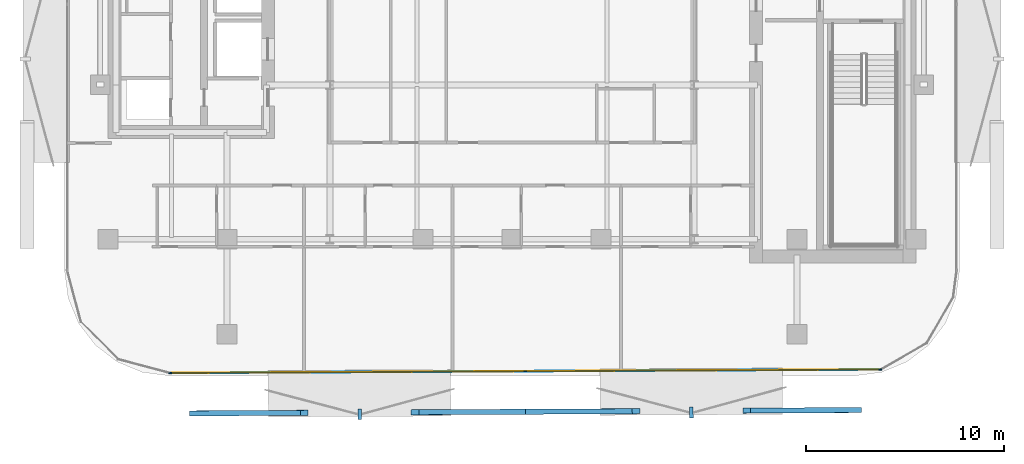
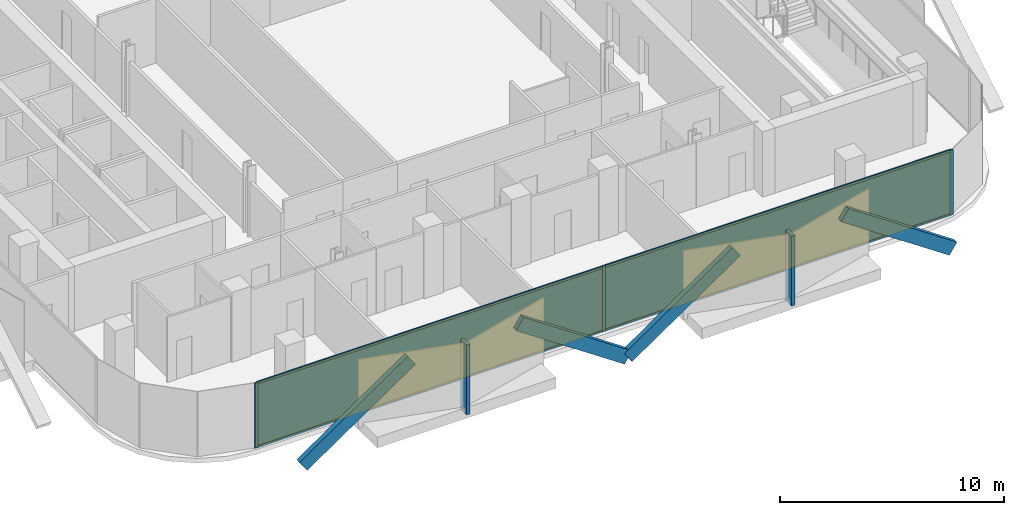
# One storey, part 9 of 17: 13 members, 2 plates, 1 curtain wall.
"""IFC4 building model written with IfcOpenShell, lengths in metres."""

from ifc_helpers import new_model, si_unit, direction, frame, frame_2d, origin, origin_2d, place, context, subcontext, project, spatial, rectangle, extrude, material, layer, layer_set, material_profile, profile_set, type_object, element, aggregate, save


model = new_model("IFC4")

# Units and contexts
model_context = context("Model", 3, precision=1e-05, world=origin(), true_north=direction((0.0, 1.0)))
body_context = subcontext(model_context, "Body", "Model", "MODEL_VIEW")
ifc_project = project(units=[si_unit("LENGTHUNIT", "METRE"), si_unit("AREAUNIT", "SQUARE_METRE"), si_unit("VOLUMEUNIT", "CUBIC_METRE"), si_unit("PLANEANGLEUNIT", "RADIAN"), si_unit("MASSUNIT", "GRAM", prefix="KILO")], contexts=[model_context])

# Member
ifc_material_1 = material(Name="Anodised Bronze Aluminium 6063-T6", Category="aluminium")
ifc_material_profile_1 = material_profile(ifc_material_1, rectangle(XDim=0.260009765625, YDim=0.699951171875, at=origin_2d()))
ifc_profile_set_1 = profile_set([ifc_material_profile_1], Name="Anodised Bronze Aluminium 6063-T6")
member_type_1 = type_object("IfcMemberType", Name="Bronze Diamond Solar-Screen Lattice Rib BDL-700", PredefinedType="MULLION", material=ifc_profile_set_1)
site_placement = place(None, origin())
building_placement = place(site_placement, origin())
storey_placement = place(building_placement, frame((0.0, 0.0, 195.39990234375)))
member_1_placement = place(storey_placement, frame((17.4453125, -27.22900390625, -0.1298828125), z_axis=(-0.826888819371, -0.004046469514, 0.562350874885), x_axis=(-0.007641611663, 0.999962637455, -0.004040973385)))
member_1 = element("IfcMember", 1, at=member_1_placement, type_object=member_type_1, Name="L45 Bronze Diamond Solar Screen Lattice Rib 297A", PredefinedType="MULLION", context=body_context, shape_type="SweptSolid", body=[
    extrude(rectangle(XDim=0.260009765625, YDim=0.699951171875, at=origin_2d()), origin(), (0.0, 0.0, 1.0), 6.75732421875),
])

member_2_placement = place(storey_placement, frame((0.682373046875, -27.3115234375, -0.1298828125), z_axis=(0.826888697943, 0.004082598107, 0.562350792305), x_axis=(0.00768530149, -0.999962302626, -0.00404097366)))
member_2 = element("IfcMember", 2, at=member_2_placement, type_object=member_type_1, Name="L45 Bronze Diamond Solar Screen Lattice Rib 297B", PredefinedType="MULLION", context=body_context, shape_type="SweptSolid", body=[
    extrude(rectangle(XDim=0.260009765625, YDim=0.699951171875, at=origin_2d()), origin(), (0.0, 0.0, 1.0), 6.75732421875),
])

member_3_placement = place(storey_placement, frame((0.682373046875, -27.3115234375, -0.1298828125), z_axis=(-0.82690012347, -0.004082476143, 0.562333992564), x_axis=(-0.00768500369, 0.999962304689, -0.004041029491)))
member_3 = element("IfcMember", 3, at=member_3_placement, type_object=member_type_1, Name="L45 Bronze Diamond Solar Screen Lattice Rib 298A", PredefinedType="MULLION", context=body_context, shape_type="SweptSolid", body=[
    extrude(rectangle(XDim=0.260009765625, YDim=0.699951171875, at=origin_2d()), origin(), (0.0, 0.0, 1.0), 6.757568359375),
])

member_4_placement = place(storey_placement, frame((-16.080810546875, -27.39404296875, -0.1298828125), z_axis=(0.826888697943, 0.004082598107, 0.562350792305), x_axis=(0.00768530149, -0.999962302626, -0.00404097366)))
member_4 = element("IfcMember", 4, at=member_4_placement, type_object=member_type_1, Name="L45 Bronze Diamond Solar Screen Lattice Rib 298B", PredefinedType="MULLION", context=body_context, shape_type="SweptSolid", body=[
    extrude(rectangle(XDim=0.260009765625, YDim=0.699951171875, at=origin_2d()), origin(), (0.0, 0.0, 1.0), 6.75732421875),
])

ifc_material_2 = material(Name="Anodised Bronze Aluminium 6063-T6", Category="aluminium")
ifc_material_profile_2 = material_profile(ifc_material_2, rectangle(XDim=0.179931640625, YDim=0.5400390625, at=origin_2d()))
ifc_profile_set_2 = profile_set([ifc_material_profile_2], Name="Anodised Bronze Aluminium 6063-T6")
member_type_2 = type_object("IfcMemberType", Name="Bronze Solar-Screen Vertical Fold Fin BSF-540", PredefinedType="MULLION", material=ifc_profile_set_2)
member_5_placement = place(storey_placement, frame((9.064208984375, -27.35009765625, -0.1298828125), z_axis=(0.0, 0.0, 1.0), x_axis=(-0.999988059021, -0.004886902454, 0.0)))
member_5 = element("IfcMember", 5, at=member_5_placement, type_object=member_type_2, Name="L45 Bronze Solar Screen Vertical Fin 297", PredefinedType="MULLION", context=body_context, shape_type="SweptSolid", body=[
    extrude(rectangle(XDim=0.179931640625, YDim=0.5400390625, at=origin_2d()), origin(), (0.0, 0.0, 1.0), 3.800048828125),
])

member_6_placement = place(storey_placement, frame((-7.698974609375, -27.432861328125, -0.1298828125), z_axis=(0.0, 0.0, 1.0), x_axis=(-0.999988059021, -0.004886902454, 0.0)))
member_6 = element("IfcMember", 6, at=member_6_placement, type_object=member_type_2, Name="L45 Bronze Solar Screen Vertical Fin 298", PredefinedType="MULLION", context=body_context, shape_type="SweptSolid", body=[
    extrude(rectangle(XDim=0.179931640625, YDim=0.5400390625, at=origin_2d()), origin(), (0.0, 0.0, 1.0), 3.800048828125),
])

ifc_material_3 = material(Name="Anodised Bronze Aluminium 6063-T6", Category="aluminium")
ifc_material_profile_3 = material_profile(ifc_material_3, rectangle(XDim=0.06005859375, YDim=0.1650390625, at=origin_2d()))
ifc_profile_set_3 = profile_set([ifc_material_profile_3], Name="Anodised Bronze Aluminium 6063-T6")
member_type_3 = type_object("IfcMemberType", Name="CW-Z3 Mullion 60x165", PredefinedType="MULLION", material=ifc_profile_set_3)
member_7_placement = place(storey_placement, frame((18.605224609375, -25.18310546875, 0.0), z_axis=(0.0, 0.0, 1.0), x_axis=(0.004926734175, -0.999987863572, 0.0)))
member_7 = element("IfcMember", 7, at=member_7_placement, type_object=member_type_3, Name="CW-Z3 mullion 1", PredefinedType="MULLION", context=body_context, shape_type="SweptSolid", body=[
    extrude(rectangle(XDim=0.06005859375, YDim=0.1650390625, at=origin_2d()), origin(), (0.0, 0.0, 1.0), 3.5400390625),
])

member_8_placement = place(storey_placement, frame((0.672119140625, -25.271484375, 0.0), z_axis=(0.0, 0.0, 1.0), x_axis=(0.004926734175, -0.999987863572, 0.0)))
member_8 = element("IfcMember", 8, at=member_8_placement, type_object=member_type_3, Name="CW-Z3 mullion 2", PredefinedType="MULLION", context=body_context, shape_type="SweptSolid", body=[
    extrude(rectangle(XDim=0.06005859375, YDim=0.1650390625, at=origin_2d()), origin(), (0.0, 0.0, 1.0), 3.5400390625),
])

member_9_placement = place(storey_placement, frame((-17.2607421875, -25.35986328125, 0.0), z_axis=(0.0, 0.0, 1.0), x_axis=(0.004926734175, -0.999987863572, 0.0)))
member_9 = element("IfcMember", 9, at=member_9_placement, type_object=member_type_3, Name="CW-Z3 mullion 3", PredefinedType="MULLION", context=body_context, shape_type="SweptSolid", body=[
    extrude(rectangle(XDim=0.06005859375, YDim=0.1650390625, at=origin_2d()), origin(), (0.0, 0.0, 1.0), 3.5400390625),
])

ifc_material_4 = material(Name="Anodised Bronze Aluminium 6063-T6", Category="aluminium")
ifc_material_profile_4 = material_profile(ifc_material_4, rectangle(XDim=0.06005859375, YDim=0.1298828125, at=origin_2d()))
ifc_profile_set_4 = profile_set([ifc_material_profile_4], Name="Anodised Bronze Aluminium 6063-T6")
member_type_4 = type_object("IfcMemberType", Name="CW-Z3 Transom 60x130", PredefinedType="USERDEFINED", material=ifc_profile_set_4)
member_10_placement = place(storey_placement, frame((18.5751953125, -25.183349609375, 0.030029296875), z_axis=(-0.999987909339, -0.0049174359, 0.0), x_axis=(0.0049174359, -0.999987909339, 0.0)))
member_10 = element("IfcMember", 10, at=member_10_placement, type_object=member_type_4, Name="CW-Z3 transom 1.1", ObjectType="TRANSOM", PredefinedType="USERDEFINED", context=body_context, shape_type="SweptSolid", body=[
    extrude(rectangle(XDim=0.06005859375, YDim=0.1298828125, at=origin_2d()), origin(), (0.0, 0.0, 1.0), 17.873291015625),
])

member_11_placement = place(storey_placement, frame((18.5751953125, -25.183349609375, 3.510009765625), z_axis=(-0.999987909339, -0.0049174359, 0.0), x_axis=(0.0049174359, -0.999987909339, 0.0)))
member_11 = element("IfcMember", 11, at=member_11_placement, type_object=member_type_4, Name="CW-Z3 transom 1.2", ObjectType="TRANSOM", PredefinedType="USERDEFINED", context=body_context, shape_type="SweptSolid", body=[
    extrude(rectangle(XDim=0.06005859375, YDim=0.1298828125, at=origin_2d()), origin(), (0.0, 0.0, 1.0), 17.873291015625),
])

member_12_placement = place(storey_placement, frame((0.64208984375, -25.271728515625, 0.030029296875), z_axis=(-0.999987909009, -0.00491750307, 0.0), x_axis=(0.00491750307, -0.999987909009, 0.0)))
member_12 = element("IfcMember", 12, at=member_12_placement, type_object=member_type_4, Name="CW-Z3 transom 2.1", ObjectType="TRANSOM", PredefinedType="USERDEFINED", context=body_context, shape_type="SweptSolid", body=[
    extrude(rectangle(XDim=0.06005859375, YDim=0.1298828125, at=origin_2d()), origin(), (0.0, 0.0, 1.0), 17.873046875),
])

member_13_placement = place(storey_placement, frame((0.64208984375, -25.271728515625, 3.510009765625), z_axis=(-0.999987909009, -0.00491750307, 0.0), x_axis=(0.00491750307, -0.999987909009, 0.0)))
member_13 = element("IfcMember", 13, at=member_13_placement, type_object=member_type_4, Name="CW-Z3 transom 2.2", ObjectType="TRANSOM", PredefinedType="USERDEFINED", context=body_context, shape_type="SweptSolid", body=[
    extrude(rectangle(XDim=0.06005859375, YDim=0.1298828125, at=origin_2d()), origin(), (0.0, 0.0, 1.0), 17.873046875),
])

# Plate
ifc_material_5 = material(Name="Low-E Solar Control Laminated Glass", Category="glass")
ifc_layer_1 = layer(ifc_material_5, 0.030029296875, Name="Low-E Solar Control Laminated Glass")
ifc_layer_set_1 = layer_set([ifc_layer_1], Name="Low-E Solar Control Laminated Glass")
plate_type = type_object("IfcPlateType", Name="CW-Z3 Low-E Double Glazed Panel 30mm", PredefinedType="CURTAIN_PANEL", material=ifc_layer_set_1)
plate_1_placement = place(storey_placement, frame((9.638671875, -25.227294921875, 0.06005859375), z_axis=(0.0, 0.0, 1.0), x_axis=(-0.999987863572, -0.004926734175, 0.0)))
plate_1 = element("IfcPlate", 14, at=plate_1_placement, type_object=plate_type, Name="CW-Z3 panel 1.1", PredefinedType="CURTAIN_PANEL", context=body_context, shape_type="SweptSolid", body=[
    extrude(rectangle(XDim=17.873291015625, YDim=0.030029296875, at=origin_2d()), origin(), (0.0, 0.0, 1.0), 3.419921875),
])

plate_2_placement = place(storey_placement, frame((-8.294189453125, -25.315673828125, 0.06005859375), z_axis=(0.0, 0.0, 1.0), x_axis=(-0.999987863572, -0.004926734175, 0.0)))
plate_2 = element("IfcPlate", 15, at=plate_2_placement, type_object=plate_type, Name="CW-Z3 panel 2.1", PredefinedType="CURTAIN_PANEL", context=body_context, shape_type="SweptSolid", body=[
    extrude(rectangle(XDim=17.873291015625, YDim=0.030029296875, at=origin_2d()), origin(), (0.0, 0.0, 1.0), 3.419921875),
])

# Site, building, storey
site = spatial("IfcSite", under=ifc_project, at=site_placement, CompositionType="ELEMENT")
building = spatial("IfcBuilding", under=site, at=building_placement, Name="Khairoan Windgate Tower", CompositionType="ELEMENT")
storey = spatial("IfcBuildingStorey", under=building, at=storey_placement, Name="L45", CompositionType="ELEMENT", Elevation=195.39990234375)

# Curtain wall
ifc_material_6 = material(Name="Anodised Bronze Aluminium 6063-T6", Category="aluminium")
ifc_layer_2 = layer(ifc_material_6, 0.1650390625, Name="Anodised Bronze Aluminium 6063-T6")
ifc_layer_set_2 = layer_set([ifc_layer_2], Name="Anodised Bronze Aluminium 6063-T6")
curtain_wall_type = type_object("IfcCurtainWallType", Name="Luxury Hotel Acoustic Curtain Wall CW-Z3", PredefinedType="NOTDEFINED", material=ifc_layer_set_2)
curtain_wall_placement = place(storey_placement, frame((18.63525390625, -25.18310546875, 0.0), z_axis=(0.0, 0.0, 1.0), x_axis=(-0.999987863321, -0.004926785053, 0.0)))
curtain_wall = element("IfcCurtainWall", 16, at=curtain_wall_placement, inside=storey, type_object=curtain_wall_type, Name="L45 Unitised Curtain Wall 1", PredefinedType="NOTDEFINED", context=body_context, shape_type="SweptSolid", body=[
    extrude(rectangle(XDim=35.926513671875, YDim=0.010009765625, at=frame_2d((17.96337890625, 0.0))), origin(), (0.0, 0.0, 1.0), 3.5400390625),
])

aggregate(curtain_wall, [member_7, member_8, member_9, member_10, member_11, plate_1, member_12, member_13, plate_2, member_1, member_2, member_5, member_3, member_4, member_6])

save(model, "model.ifc")
